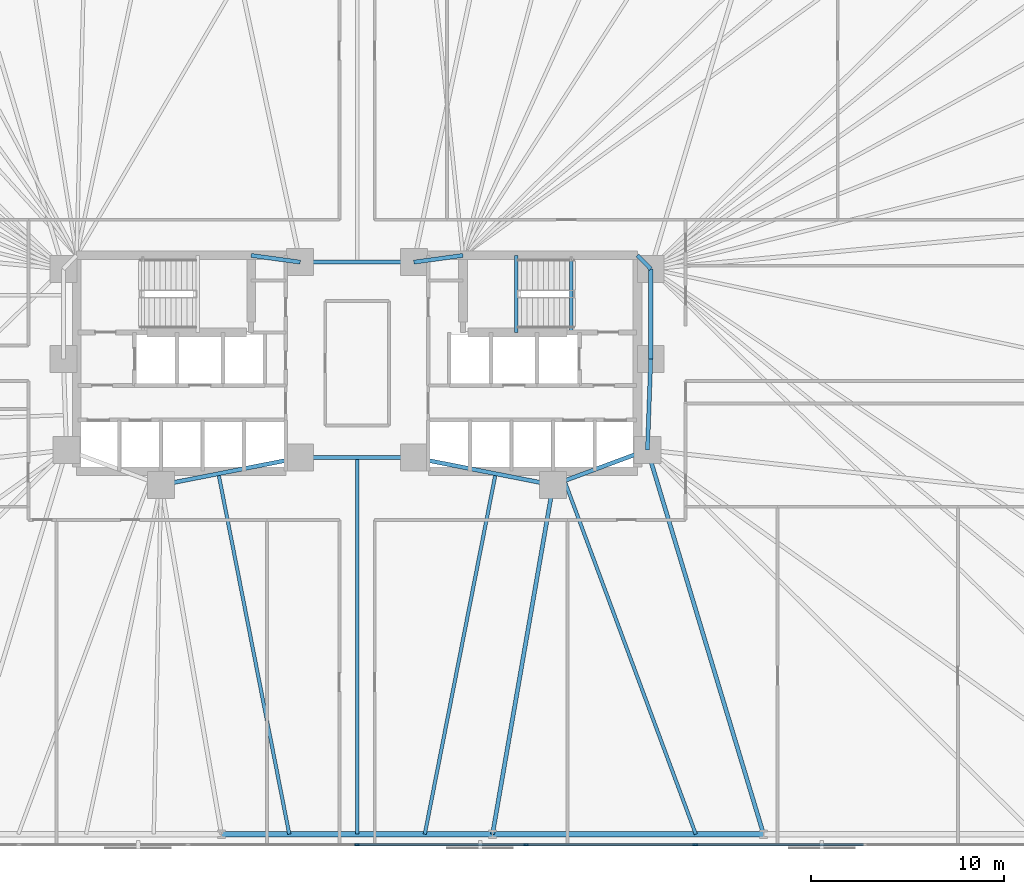
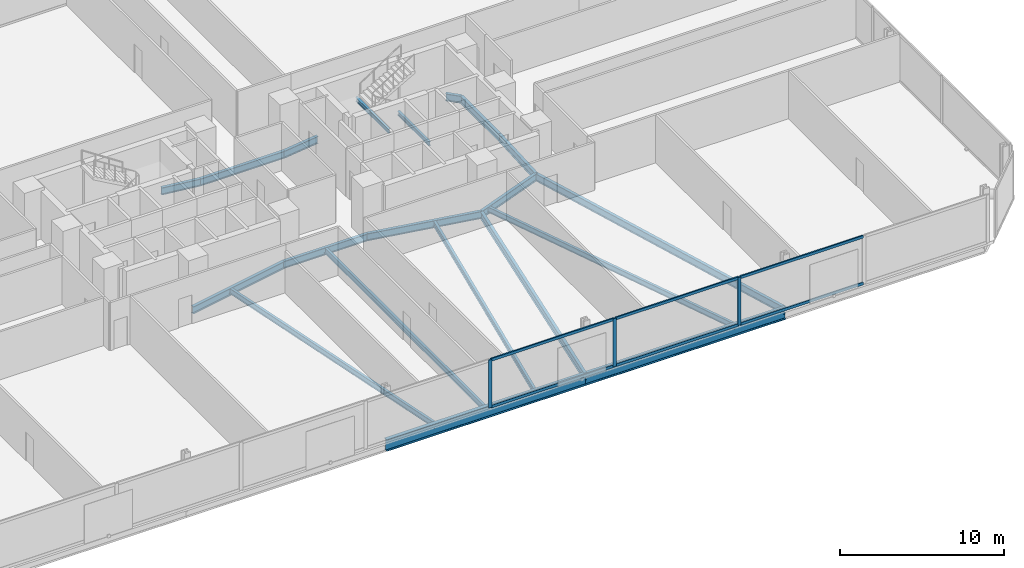
# One storey, part 7 of 17: 20 beams, 9 members, 1 element without a shape of its own.
"""IFC4 building model written with IfcOpenShell, lengths in metres."""

from ifc_helpers import new_model, si_unit, direction, frame, origin, origin_2d, place, context, subcontext, project, spatial, rectangle, i_section, extrude, material, material_profile, profile_set, type_object, element, aggregate, save


model = new_model("IFC4")

# Units and contexts
model_context = context("Model", 3, precision=1e-05, world=origin(), true_north=direction((0.0, 1.0)))
body_context = subcontext(model_context, "Body", "Model", "MODEL_VIEW")
ifc_project = project(units=[si_unit("LENGTHUNIT", "METRE"), si_unit("AREAUNIT", "SQUARE_METRE"), si_unit("VOLUMEUNIT", "CUBIC_METRE"), si_unit("PLANEANGLEUNIT", "RADIAN"), si_unit("MASSUNIT", "GRAM", prefix="KILO")], contexts=[model_context])

# Site, building, storey
site_placement = place(None, origin())
site = spatial("IfcSite", under=ifc_project, at=site_placement, CompositionType="ELEMENT")
building_placement = place(site_placement, origin())
building = spatial("IfcBuilding", under=site, at=building_placement, Name="Menara Jurai Vektor", CompositionType="ELEMENT")
storey_placement = place(building_placement, frame((0.0, 0.0, 29.39990234375)))
storey = spatial("IfcBuildingStorey", under=building, at=storey_placement, Name="L06", CompositionType="ELEMENT", Elevation=29.39990234375)

# Curtain wall, members
ifc_material_1 = material(Name="Anodised Pale Aluminium & Low-E Double Glazing", Category="aluminium")
curtain_wall_type = type_object("IfcCurtainWallType", Name="CW-BLK1", PredefinedType="NOTDEFINED", material=ifc_material_1)
curtain_wall_placement = place(storey_placement, origin())
curtain_wall = element("IfcCurtainWall", 1, at=curtain_wall_placement, inside=storey, type_object=curtain_wall_type, Name="Unitised Curtain Wall L06 F01", PredefinedType="NOTDEFINED")
ifc_material_2 = material(Name="Anodised Pale Aluminium Mullion", Category="aluminium")
ifc_material_profile_1 = material_profile(ifc_material_2, rectangle(XDim=0.094970703125, YDim=0.239990234375, at=origin_2d()), Name="ALU MUL 95x240")
ifc_profile_set_1 = profile_set([ifc_material_profile_1], Name="Anodised Pale Aluminium Mullion")
member_type_1 = type_object("IfcMemberType", Name="CW-BLK1-MUL", PredefinedType="MULLION", material=ifc_profile_set_1)
member_1_placement = place(storey_placement, frame((0.0, -25.0, 0.0), z_axis=(0.0, 0.0, 1.0), x_axis=(0.0, 1.0, 0.0)))
member_1 = element("IfcMember", 2, at=member_1_placement, type_object=member_type_1, Name="CW-01 mullion 5", PredefinedType="MULLION", context=body_context, shape_type="SweptSolid", body=[
    extrude(rectangle(XDim=0.094970703125, YDim=0.239990234375, at=origin_2d()), origin(), (0.0, 0.0, 1.0), 3.5751953125),
])
member_2_placement = place(storey_placement, frame((8.780029296875, -25.0, 0.0), z_axis=(0.0, 0.0, 1.0), x_axis=(0.0, 1.0, 0.0)))
member_2 = element("IfcMember", 3, at=member_2_placement, type_object=member_type_1, Name="CW-01 mullion 6", PredefinedType="MULLION", context=body_context, shape_type="SweptSolid", body=[
    extrude(rectangle(XDim=0.094970703125, YDim=0.239990234375, at=origin_2d()), origin(), (0.0, 0.0, 1.0), 3.5751953125),
])
member_3_placement = place(storey_placement, frame((17.56005859375, -25.0, 0.0), z_axis=(0.0, 0.0, 1.0), x_axis=(0.0, 1.0, 0.0)))
member_3 = element("IfcMember", 4, at=member_3_placement, type_object=member_type_1, Name="CW-01 mullion 7", PredefinedType="MULLION", context=body_context, shape_type="SweptSolid", body=[
    extrude(rectangle(XDim=0.094970703125, YDim=0.239990234375, at=origin_2d()), origin(), (0.0, 0.0, 1.0), 3.5751953125),
])
ifc_material_3 = material(Name="Anodised Pale Aluminium Transom", Category="aluminium")
ifc_material_profile_2 = material_profile(ifc_material_3, rectangle(XDim=0.094970703125, YDim=0.199951171875, at=origin_2d()), Name="ALU TRN 95x200")
ifc_profile_set_2 = profile_set([ifc_material_profile_2], Name="Anodised Pale Aluminium Transom")
member_type_2 = type_object("IfcMemberType", Name="CW-BLK1-TRN", PredefinedType="USERDEFINED", material=ifc_profile_set_2)
member_4_placement = place(storey_placement, frame((0.047607421875, -25.0, 0.047607421875), z_axis=(1.0, 0.0, 0.0), x_axis=(0.0, 1.0, 0.0)))
member_4 = element("IfcMember", 5, at=member_4_placement, type_object=member_type_2, Name="CW-01 transom 5.1", ObjectType="TRANSOM", PredefinedType="USERDEFINED", context=body_context, shape_type="SweptSolid", body=[
    extrude(rectangle(XDim=0.094970703125, YDim=0.199951171875, at=origin_2d()), origin(), (0.0, 0.0, 1.0), 8.684814453125),
])
member_5_placement = place(storey_placement, frame((0.047607421875, -25.0, 3.527587890625), z_axis=(1.0, 0.0, 0.0), x_axis=(0.0, 1.0, 0.0)))
member_5 = element("IfcMember", 6, at=member_5_placement, type_object=member_type_2, Name="CW-01 transom 5.2", ObjectType="TRANSOM", PredefinedType="USERDEFINED", context=body_context, shape_type="SweptSolid", body=[
    extrude(rectangle(XDim=0.094970703125, YDim=0.199951171875, at=origin_2d()), origin(), (0.0, 0.0, 1.0), 8.684814453125),
])
member_6_placement = place(storey_placement, frame((8.827392578125, -25.0, 0.047607421875), z_axis=(1.0, 0.0, 0.0), x_axis=(0.0, 1.0, 0.0)))
member_6 = element("IfcMember", 7, at=member_6_placement, type_object=member_type_2, Name="CW-01 transom 6.1", ObjectType="TRANSOM", PredefinedType="USERDEFINED", context=body_context, shape_type="SweptSolid", body=[
    extrude(rectangle(XDim=0.094970703125, YDim=0.199951171875, at=origin_2d()), origin(), (0.0, 0.0, 1.0), 8.68505859375),
])
member_7_placement = place(storey_placement, frame((8.827392578125, -25.0, 3.527587890625), z_axis=(1.0, 0.0, 0.0), x_axis=(0.0, 1.0, 0.0)))
member_7 = element("IfcMember", 8, at=member_7_placement, type_object=member_type_2, Name="CW-01 transom 6.2", ObjectType="TRANSOM", PredefinedType="USERDEFINED", context=body_context, shape_type="SweptSolid", body=[
    extrude(rectangle(XDim=0.094970703125, YDim=0.199951171875, at=origin_2d()), origin(), (0.0, 0.0, 1.0), 8.68505859375),
])
member_8_placement = place(storey_placement, frame((17.607421875, -25.0, 0.047607421875), z_axis=(1.0, 0.0, 0.0), x_axis=(0.0, 1.0, 0.0)))
member_8 = element("IfcMember", 9, at=member_8_placement, type_object=member_type_2, Name="CW-01 transom 7.1", ObjectType="TRANSOM", PredefinedType="USERDEFINED", context=body_context, shape_type="SweptSolid", body=[
    extrude(rectangle(XDim=0.094970703125, YDim=0.199951171875, at=origin_2d()), origin(), (0.0, 0.0, 1.0), 8.68505859375),
])
member_9_placement = place(storey_placement, frame((17.607421875, -25.0, 3.527587890625), z_axis=(1.0, 0.0, 0.0), x_axis=(0.0, 1.0, 0.0)))
member_9 = element("IfcMember", 10, at=member_9_placement, type_object=member_type_2, Name="CW-01 transom 7.2", ObjectType="TRANSOM", PredefinedType="USERDEFINED", context=body_context, shape_type="SweptSolid", body=[
    extrude(rectangle(XDim=0.094970703125, YDim=0.199951171875, at=origin_2d()), origin(), (0.0, 0.0, 1.0), 8.68505859375),
])
aggregate(curtain_wall, [member_1, member_2, member_3, member_4, member_5, member_6, member_7, member_8, member_9])

# Beams
ifc_material_4 = material(Name="Steel S355", Category="steel")
ifc_material_profile_3 = material_profile(ifc_material_4, i_section(OverallWidth=0.2109375, OverallDepth=0.5390625, WebThickness=0.011962890625, FlangeThickness=0.01904296875, FilletRadius=0.012939453125, at=origin_2d()), Name="UKB 533x210x109")
ifc_profile_set_3 = profile_set([ifc_material_profile_3], Name="Steel S355")
beam_type_1 = type_object("IfcBeamType", Name="STR-BM-533", PredefinedType="BEAM", material=ifc_profile_set_3)
beam_1_placement = place(storey_placement, frame((-5.5, 5.60009765625, -0.494384765625), z_axis=(0.990706818608, -0.136014703483, 0.0), x_axis=(0.136014703483, 0.990706818608, 0.0)))
element("IfcBeam", 11, at=beam_1_placement, inside=storey, type_object=beam_type_1, Name="Core Ring Header Girder L06-CHW-N2", PredefinedType="BEAM", context=body_context, shape_type="SweptSolid", body=[
    extrude(i_section(OverallWidth=0.2109375, OverallDepth=0.5390625, WebThickness=0.011962890625, FlangeThickness=0.01904296875, FilletRadius=0.012939453125, at=origin_2d()), origin(), (0.0, 0.0, 1.0), 2.573974609375),
])
beam_2_placement = place(storey_placement, frame((-10.179931640625, -6.320068359375, -0.494384765625), z_axis=(0.981249044334, 0.192744164614, 0.0), x_axis=(-0.192744164614, 0.981249044334, 0.0)))
element("IfcBeam", 12, at=beam_2_placement, inside=storey, type_object=beam_type_1, Name="Core Ring Header Girder L06-CHW-S2", PredefinedType="BEAM", context=body_context, shape_type="SweptSolid", body=[
    extrude(i_section(OverallWidth=0.2109375, OverallDepth=0.5390625, WebThickness=0.011962890625, FlangeThickness=0.01904296875, FilletRadius=0.012939453125, at=origin_2d()), origin(), (0.0, 0.0, 1.0), 7.3681640625),
])
beam_3_placement = place(storey_placement, frame((2.949951171875, 5.25, -0.494384765625), z_axis=(0.990706818608, 0.136014703483, 0.0), x_axis=(-0.136014703483, 0.990706818608, 0.0)))
element("IfcBeam", 13, at=beam_3_placement, inside=storey, type_object=beam_type_1, Name="Core Ring Header Girder L06-CHE-N1", PredefinedType="BEAM", context=body_context, shape_type="SweptSolid", body=[
    extrude(i_section(OverallWidth=0.2109375, OverallDepth=0.5390625, WebThickness=0.011962890625, FlangeThickness=0.01904296875, FilletRadius=0.012939453125, at=origin_2d()), origin(), (0.0, 0.0, 1.0), 2.573974609375),
])
beam_4_placement = place(storey_placement, frame((14.56005859375, 5.60009765625, -0.494384765625), z_axis=(0.701871936926, -0.712303154672, 0.0), x_axis=(0.712303154672, 0.701871936926, 0.0)))
element("IfcBeam", 14, at=beam_4_placement, inside=storey, type_object=beam_type_1, Name="Core Ring Header Girder L06-CHE-N2", PredefinedType="BEAM", context=body_context, shape_type="SweptSolid", body=[
    extrude(i_section(OverallWidth=0.2109375, OverallDepth=0.5390625, WebThickness=0.011962890625, FlangeThickness=0.01904296875, FilletRadius=0.012939453125, at=origin_2d()), origin(), (0.0, 0.0, 1.0), 0.98291015625),
])
beam_5_placement = place(storey_placement, frame((15.25, 0.219970703125, -0.494384765625), z_axis=(0.0, 1.0, 0.0), x_axis=(-1.0, 0.0, 0.0)))
element("IfcBeam", 15, at=beam_5_placement, inside=storey, type_object=beam_type_1, Name="Core Ring Header Girder L06-CHE-E1", PredefinedType="BEAM", context=body_context, shape_type="SweptSolid", body=[
    extrude(i_section(OverallWidth=0.2109375, OverallDepth=0.5390625, WebThickness=0.011962890625, FlangeThickness=0.01904296875, FilletRadius=0.012939453125, at=origin_2d()), origin(), (0.0, 0.0, 1.0), 4.679931640625),
])
beam_6_placement = place(storey_placement, frame((15.080078125, -4.5, -0.494384765625), z_axis=(0.035977314146, 0.999352606874, 0.0), x_axis=(-0.999352606874, 0.035977314146, 0.0)))
element("IfcBeam", 16, at=beam_6_placement, inside=storey, type_object=beam_type_1, Name="Core Ring Header Girder L06-CHE-E2", PredefinedType="BEAM", context=body_context, shape_type="SweptSolid", body=[
    extrude(i_section(OverallWidth=0.2109375, OverallDepth=0.5390625, WebThickness=0.011962890625, FlangeThickness=0.01904296875, FilletRadius=0.012939453125, at=origin_2d()), origin(), (0.0, 0.0, 1.0), 4.72314453125),
])
beam_7_placement = place(storey_placement, frame((10.179931640625, -6.320068359375, -0.494384765625), z_axis=(0.937424400887, 0.348188874925, 0.0), x_axis=(-0.348188874925, 0.937424400887, 0.0)))
element("IfcBeam", 17, at=beam_7_placement, inside=storey, type_object=beam_type_1, Name="Core Ring Header Girder L06-CHE-S1", PredefinedType="BEAM", context=body_context, shape_type="SweptSolid", body=[
    extrude(i_section(OverallWidth=0.2109375, OverallDepth=0.5390625, WebThickness=0.011962890625, FlangeThickness=0.01904296875, FilletRadius=0.012939453125, at=origin_2d()), origin(), (0.0, 0.0, 1.0), 5.227294921875),
])
beam_8_placement = place(storey_placement, frame((2.949951171875, -4.89990234375, -0.494384765625), z_axis=(0.981249044334, -0.192744164614, 0.0), x_axis=(0.192744164614, 0.981249044334, 0.0)))
element("IfcBeam", 18, at=beam_8_placement, inside=storey, type_object=beam_type_1, Name="Core Ring Header Girder L06-CHE-S2", PredefinedType="BEAM", context=body_context, shape_type="SweptSolid", body=[
    extrude(i_section(OverallWidth=0.2109375, OverallDepth=0.5390625, WebThickness=0.011962890625, FlangeThickness=0.01904296875, FilletRadius=0.012939453125, at=origin_2d()), origin(), (0.0, 0.0, 1.0), 7.3681640625),
])
for number, where, z_axis, x_axis, name in (
    (19, (-2.949951171875, -4.89990234375, -0.494384765625), (1.0, 0.0, 0.0), (0.0, 1.0, 0.0), "Core Ring Header Girder L06-CC-1"),
    (20, (-2.949951171875, 5.25, -0.494384765625), (1.0, 0.0, 0.0), (0.0, 1.0, 0.0), "Core Ring Header Girder L06-CC-2"),
):
    element("IfcBeam", number, at=place(storey_placement, frame(where, z_axis=z_axis, x_axis=x_axis)), inside=storey, type_object=beam_type_1, Name=name, PredefinedType="BEAM", context=body_context, shape_type="SweptSolid", body=[
        extrude(i_section(OverallWidth=0.2109375, OverallDepth=0.5390625, WebThickness=0.011962890625, FlangeThickness=0.01904296875, FilletRadius=0.012939453125, at=origin_2d()), origin(), (0.0, 0.0, 1.0), 5.89990234375),
    ])
beam_9_placement = place(storey_placement, frame((7.03564453125, -24.449951171875, -0.494384765625), z_axis=(0.170880325642, 0.985291791455, 0.0), x_axis=(-0.985291791455, 0.170880325642, 0.0)))
element("IfcBeam", 21, at=beam_9_placement, inside=storey, type_object=beam_type_1, Name="Radial Floor Girder L06-S4", PredefinedType="BEAM", context=body_context, shape_type="SweptSolid", body=[
    extrude(i_section(OverallWidth=0.2109375, OverallDepth=0.5390625, WebThickness=0.011962890625, FlangeThickness=0.01904296875, FilletRadius=0.012939453125, at=origin_2d()), origin(), (0.0, 0.0, 1.0), 18.400634765625),
])
beam_10_placement = place(storey_placement, frame((21.106689453125, -24.449951171875, -0.494384765625), z_axis=(-0.289179812203, 0.957274796604, 0.0), x_axis=(-0.957274796604, -0.289179812203, 0.0)))
element("IfcBeam", 22, at=beam_10_placement, inside=storey, type_object=beam_type_1, Name="Radial Floor Girder L06-S5", PredefinedType="BEAM", context=body_context, shape_type="SweptSolid", body=[
    extrude(i_section(OverallWidth=0.2109375, OverallDepth=0.5390625, WebThickness=0.011962890625, FlangeThickness=0.01904296875, FilletRadius=0.012939453125, at=origin_2d()), origin(), (0.0, 0.0, 1.0), 20.84033203125),
])
ifc_material_profile_4 = material_profile(ifc_material_4, i_section(OverallWidth=0.178955078125, OverallDepth=0.408935546875, WebThickness=0.009033203125, FlangeThickness=0.013916015625, FilletRadius=0.010009765625, at=origin_2d()), Name="UKB 406x178x67")
ifc_profile_set_4 = profile_set([ifc_material_profile_4], Name="Steel S355")
beam_type_2 = type_object("IfcBeamType", Name="STR-JS-406", PredefinedType="JOIST", material=ifc_profile_set_4)
beam_11_placement = place(storey_placement, frame((-3.517822265625, -24.449951171875, -0.429443359375), z_axis=(-0.192723076671, 0.981253186348, 0.0), x_axis=(-0.981253186348, -0.192723076671, 0.0)))
element("IfcBeam", 23, at=beam_11_placement, inside=storey, type_object=beam_type_2, Name="Radial Secondary Floor Joist L06-JS04", PredefinedType="JOIST", context=body_context, shape_type="SweptSolid", body=[
    extrude(i_section(OverallWidth=0.178955078125, OverallDepth=0.408935546875, WebThickness=0.009033203125, FlangeThickness=0.013916015625, FilletRadius=0.010009765625, at=origin_2d()), origin(), (0.0, 0.0, 1.0), 19.07421875),
])
beam_12_placement = place(storey_placement, frame((0.0, -24.449951171875, -0.429443359375), z_axis=(0.0, 1.0, 0.0), x_axis=(-1.0, 0.0, 0.0)))
element("IfcBeam", 24, at=beam_12_placement, inside=storey, type_object=beam_type_2, Name="Radial Secondary Floor Joist L06-JS05", PredefinedType="JOIST", context=body_context, shape_type="SweptSolid", body=[
    extrude(i_section(OverallWidth=0.178955078125, OverallDepth=0.408935546875, WebThickness=0.009033203125, FlangeThickness=0.013916015625, FilletRadius=0.010009765625, at=origin_2d()), origin(), (0.0, 0.0, 1.0), 19.550048828125),
])
beam_13_placement = place(storey_placement, frame((3.517822265625, -24.449951171875, -0.429443359375), z_axis=(0.192723076671, 0.981253186348, 0.0), x_axis=(-0.981253186348, 0.192723076671, 0.0)))
element("IfcBeam", 25, at=beam_13_placement, inside=storey, type_object=beam_type_2, Name="Radial Secondary Floor Joist L06-JS06", PredefinedType="JOIST", context=body_context, shape_type="SweptSolid", body=[
    extrude(i_section(OverallWidth=0.178955078125, OverallDepth=0.408935546875, WebThickness=0.009033203125, FlangeThickness=0.013916015625, FilletRadius=0.010009765625, at=origin_2d()), origin(), (0.0, 0.0, 1.0), 19.07421875),
])
beam_14_placement = place(storey_placement, frame((17.5888671875, -24.449951171875, -0.429443359375), z_axis=(-0.348179014223, 0.937428063403, 0.0), x_axis=(-0.937428063403, -0.348179014223, 0.0)))
element("IfcBeam", 26, at=beam_14_placement, inside=storey, type_object=beam_type_2, Name="Radial Secondary Floor Joist L06-JS07", PredefinedType="JOIST", context=body_context, shape_type="SweptSolid", body=[
    extrude(i_section(OverallWidth=0.178955078125, OverallDepth=0.408935546875, WebThickness=0.009033203125, FlangeThickness=0.013916015625, FilletRadius=0.010009765625, at=origin_2d()), origin(), (0.0, 0.0, 1.0), 19.5751953125),
])
ifc_material_profile_5 = material_profile(ifc_material_4, i_section(OverallWidth=0.1650390625, OverallDepth=0.302978515625, WebThickness=0.006103515625, FlangeThickness=0.010009765625, FilletRadius=0.009033203125, at=origin_2d()), Name="UKB 305x165x40")
ifc_profile_set_5 = profile_set([ifc_material_profile_5], Name="Steel S355")
beam_type_3 = type_object("IfcBeamType", Name="STR-LN-305", PredefinedType="LINTEL", material=ifc_profile_set_5)
beam_15_placement = place(storey_placement, frame((11.1201171875, 1.60009765625, -0.37646484375), z_axis=(0.0, 1.0, 0.0), x_axis=(-1.0, 0.0, 0.0)))
element("IfcBeam", 27, at=beam_15_placement, inside=storey, type_object=beam_type_3, Name="Stair Well Floor Trimmer ST2 L06", PredefinedType="LINTEL", context=body_context, shape_type="SweptSolid", body=[
    extrude(i_section(OverallWidth=0.1650390625, OverallDepth=0.302978515625, WebThickness=0.006103515625, FlangeThickness=0.010009765625, FilletRadius=0.009033203125, at=origin_2d()), origin(), (0.0, 0.0, 1.0), 3.81982421875),
])
beam_16_placement = place(storey_placement, frame((8.27001953125, 1.60009765625, 1.548583984375), z_axis=(0.0, 1.0, 0.0), x_axis=(-1.0, 0.0, 0.0)))
element("IfcBeam", 28, at=beam_16_placement, inside=storey, type_object=beam_type_3, Name="Stair Half-Landing Nosing Trimmer ST2-1 L06", PredefinedType="LINTEL", context=body_context, shape_type="SweptSolid", body=[
    extrude(i_section(OverallWidth=0.1650390625, OverallDepth=0.302978515625, WebThickness=0.006103515625, FlangeThickness=0.010009765625, FilletRadius=0.009033203125, at=origin_2d()), origin(), (0.0, 0.0, 1.0), 4.0),
])
ifc_material_5 = material(Name="Steel S460", Category="steel")
ifc_material_profile_6 = material_profile(ifc_material_5, i_section(OverallWidth=0.2939453125, OverallDepth=0.85107421875, WebThickness=0.01611328125, FlangeThickness=0.027099609375, FilletRadius=0.01806640625, at=origin_2d()), Name="UKB 838x292x226")
ifc_profile_set_6 = profile_set([ifc_material_profile_6], Name="Steel S460")
beam_type_4 = type_object("IfcBeamType", Name="STR-SP-838", PredefinedType="SPANDREL", material=ifc_profile_set_6)
beam_17_placement = place(storey_placement, frame((-7.03564453125, -24.449951171875, -0.650390625), z_axis=(1.0, 0.0, 0.0), x_axis=(0.0, 1.0, 0.0)))
element("IfcBeam", 29, at=beam_17_placement, inside=storey, type_object=beam_type_4, Name="Exoskeleton Spandrel Beam L06-03", PredefinedType="SPANDREL", context=body_context, shape_type="SweptSolid", body=[
    extrude(i_section(OverallWidth=0.2939453125, OverallDepth=0.85107421875, WebThickness=0.01611328125, FlangeThickness=0.027099609375, FilletRadius=0.01806640625, at=origin_2d()), origin(), (0.0, 0.0, 1.0), 14.0712890625),
])
beam_18_placement = place(storey_placement, frame((7.03564453125, -24.449951171875, -0.650390625), z_axis=(1.0, 0.0, 0.0), x_axis=(0.0, 1.0, 0.0)))
element("IfcBeam", 30, at=beam_18_placement, inside=storey, type_object=beam_type_4, Name="Exoskeleton Spandrel Beam L06-04", PredefinedType="SPANDREL", context=body_context, shape_type="SweptSolid", body=[
    extrude(i_section(OverallWidth=0.2939453125, OverallDepth=0.85107421875, WebThickness=0.01611328125, FlangeThickness=0.027099609375, FilletRadius=0.01806640625, at=origin_2d()), origin(), (0.0, 0.0, 1.0), 14.071044921875),
])

save(model, "model.ifc")
